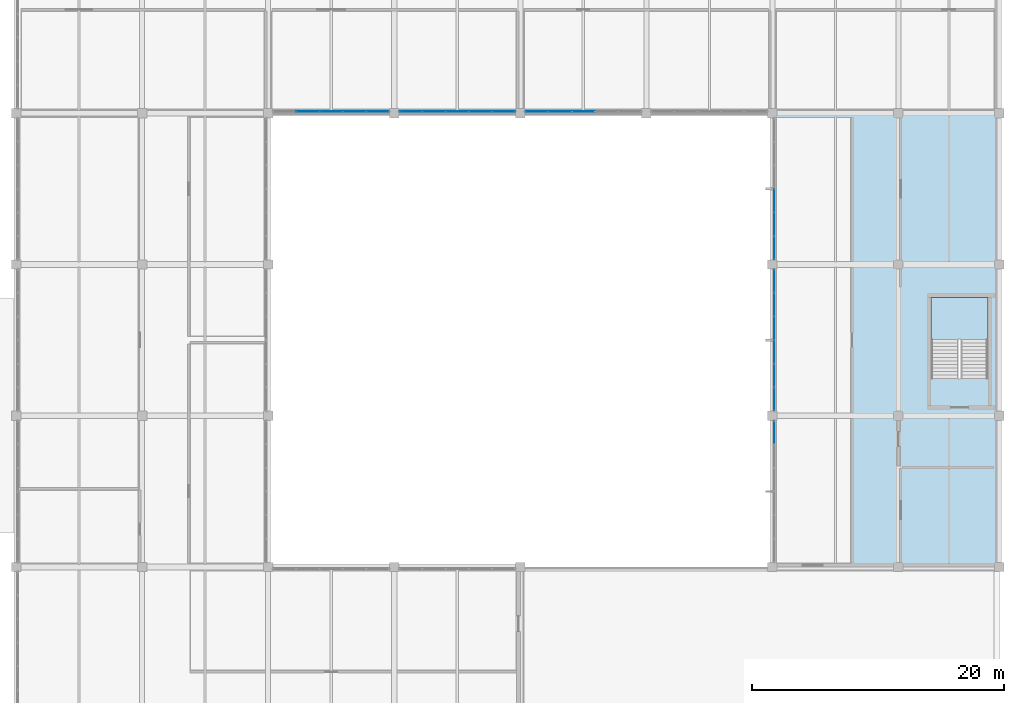
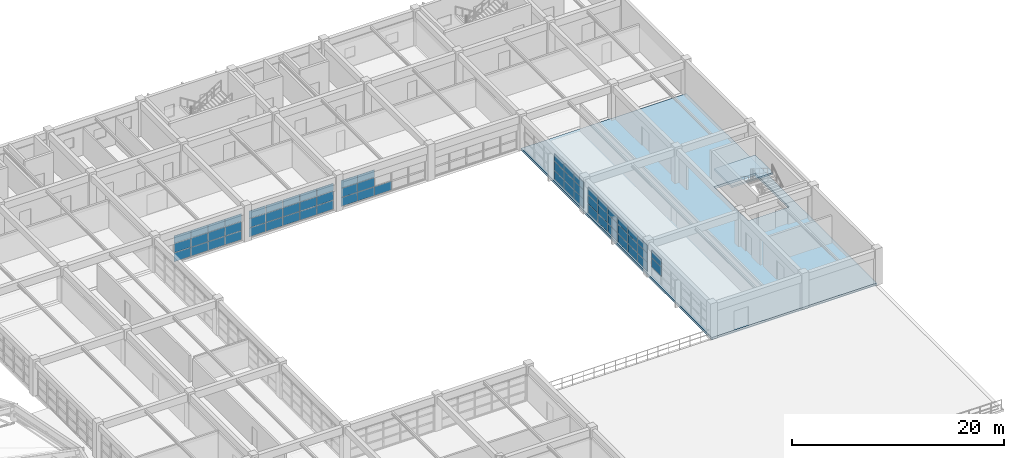
# One storey, part 56 of 83: 63 plates, 2 slabs, 7 elements without a shape of their own.
"""IFC4 building model written with IfcOpenShell, lengths in metres."""

from ifc_helpers import new_model, si_unit, direction, frame, origin, origin_2d, place, context, subcontext, project, spatial, polyline, rectangle, outline, extrude, material, layer, layer_set, type_object, element, aggregate, save


model = new_model("IFC4")

# Units and contexts
model_context = context("Model", 3, precision=1e-05, world=origin(), true_north=direction((0.0, 1.0)))
body_context = subcontext(model_context, "Body", "Model", "MODEL_VIEW")
ifc_project = project(units=[si_unit("LENGTHUNIT", "METRE"), si_unit("AREAUNIT", "SQUARE_METRE"), si_unit("VOLUMEUNIT", "CUBIC_METRE"), si_unit("PLANEANGLEUNIT", "RADIAN"), si_unit("MASSUNIT", "GRAM", prefix="KILO")], contexts=[model_context])

# Site, building, storey
site_placement = place(None, origin())
site = spatial("IfcSite", under=ifc_project, at=site_placement, CompositionType="ELEMENT")
building_placement = place(site_placement, origin())
building = spatial("IfcBuilding", under=site, at=building_placement, Name="Kivolera Central Railway Station", CompositionType="ELEMENT")
storey_placement = place(building_placement, frame((0.0, 0.0, 14.39990234375)))
storey = spatial("IfcBuildingStorey", under=building, at=storey_placement, Name="L03", CompositionType="ELEMENT", Elevation=14.39990234375)

# Curtain wall, plates
ifc_material_1 = material(Name="Anodised aluminium", Category="aluminium")
ifc_layer_1 = layer(ifc_material_1, 0.179931640625, Name="Anodised aluminium")
ifc_layer_set_1 = layer_set([ifc_layer_1], Name="Anodised aluminium")
curtain_wall_type_1 = type_object("IfcCurtainWallType", Name="CW-SYS-29", PredefinedType="NOTDEFINED", material=ifc_layer_set_1)
curtain_wall_1_placement = place(storey_placement, origin())
curtain_wall_1 = element("IfcCurtainWall", 1, at=curtain_wall_1_placement, inside=storey, type_object=curtain_wall_type_1, Name="L03 Curtain Wall CW-L03-CRTN-138", PredefinedType="NOTDEFINED")
ifc_material_2 = material(Name="Double low-E laminated glass", Category="glass")
ifc_layer_2 = layer(ifc_material_2, 0.030029296875, Name="Double low-E laminated glass")
ifc_layer_set_2 = layer_set([ifc_layer_2], Name="Double low-E laminated glass")
plate_type_1 = type_object("IfcPlateType", Name="CWP-GLZ-2", PredefinedType="CURTAIN_PANEL", material=ifc_layer_set_2)
plate_1_placement = place(storey_placement, frame((146.68896484375, 114.14501953125, 0.048095703125), z_axis=(0.0, 0.0, 1.0), x_axis=(-1.0, 0.0, 0.0)))
plate_1 = element("IfcPlate", 2, at=plate_1_placement, type_object=plate_type_1, Name="CW-29 panel 1.1", PredefinedType="CURTAIN_PANEL", context=body_context, shape_type="SweptSolid", body=[
    extrude(rectangle(XDim=1.785888671875, YDim=0.030029296875, at=origin_2d()), origin(), (0.0, 0.0, 1.0), 1.01123046875),
])
plate_2_placement = place(storey_placement, frame((146.68896484375, 114.14501953125, 1.09521484375), z_axis=(0.0, 0.0, 1.0), x_axis=(-1.0, 0.0, 0.0)))
plate_2 = element("IfcPlate", 3, at=plate_2_placement, type_object=plate_type_1, Name="CW-29 panel 1.2", PredefinedType="CURTAIN_PANEL", context=body_context, shape_type="SweptSolid", body=[
    extrude(rectangle(XDim=1.785888671875, YDim=0.030029296875, at=origin_2d()), origin(), (0.0, 0.0, 1.0), 1.041259765625),
])
plate_3_placement = place(storey_placement, frame((146.68896484375, 114.14501953125, 2.172607421875), z_axis=(0.0, 0.0, 1.0), x_axis=(-1.0, 0.0, 0.0)))
plate_3 = element("IfcPlate", 4, at=plate_3_placement, type_object=plate_type_1, Name="CW-29 panel 1.3", PredefinedType="CURTAIN_PANEL", context=body_context, shape_type="SweptSolid", body=[
    extrude(rectangle(XDim=1.785888671875, YDim=0.030029296875, at=origin_2d()), origin(), (0.0, 0.0, 1.0), 0.857421875),
])
plate_4_placement = place(storey_placement, frame((144.85205078125, 114.14501953125, 0.048095703125), z_axis=(0.0, 0.0, 1.0), x_axis=(-1.0, 0.0, 0.0)))
plate_4 = element("IfcPlate", 5, at=plate_4_placement, type_object=plate_type_1, Name="CW-29 panel 2.1", PredefinedType="CURTAIN_PANEL", context=body_context, shape_type="SweptSolid", body=[
    extrude(rectangle(XDim=1.81591796875, YDim=0.030029296875, at=origin_2d()), origin(), (0.0, 0.0, 1.0), 1.01123046875),
])
plate_5_placement = place(storey_placement, frame((144.85205078125, 114.14501953125, 1.09521484375), z_axis=(0.0, 0.0, 1.0), x_axis=(-1.0, 0.0, 0.0)))
plate_5 = element("IfcPlate", 6, at=plate_5_placement, type_object=plate_type_1, Name="CW-29 panel 2.2", PredefinedType="CURTAIN_PANEL", context=body_context, shape_type="SweptSolid", body=[
    extrude(rectangle(XDim=1.81591796875, YDim=0.030029296875, at=origin_2d()), origin(), (0.0, 0.0, 1.0), 1.041259765625),
])
plate_6_placement = place(storey_placement, frame((144.85205078125, 114.14501953125, 2.172607421875), z_axis=(0.0, 0.0, 1.0), x_axis=(-1.0, 0.0, 0.0)))
plate_6 = element("IfcPlate", 7, at=plate_6_placement, type_object=plate_type_1, Name="CW-29 panel 2.3", PredefinedType="CURTAIN_PANEL", context=body_context, shape_type="SweptSolid", body=[
    extrude(rectangle(XDim=1.81591796875, YDim=0.030029296875, at=origin_2d()), origin(), (0.0, 0.0, 1.0), 0.857421875),
])
plate_7_placement = place(storey_placement, frame((143.0, 114.14501953125, 0.048095703125), z_axis=(0.0, 0.0, 1.0), x_axis=(-1.0, 0.0, 0.0)))
plate_7 = element("IfcPlate", 8, at=plate_7_placement, type_object=plate_type_1, Name="CW-29 panel 3.1", PredefinedType="CURTAIN_PANEL", context=body_context, shape_type="SweptSolid", body=[
    extrude(rectangle(XDim=1.81591796875, YDim=0.030029296875, at=origin_2d()), origin(), (0.0, 0.0, 1.0), 1.01123046875),
])
plate_8_placement = place(storey_placement, frame((143.0, 114.14501953125, 1.09521484375), z_axis=(0.0, 0.0, 1.0), x_axis=(-1.0, 0.0, 0.0)))
plate_8 = element("IfcPlate", 9, at=plate_8_placement, type_object=plate_type_1, Name="CW-29 panel 3.2", PredefinedType="CURTAIN_PANEL", context=body_context, shape_type="SweptSolid", body=[
    extrude(rectangle(XDim=1.81591796875, YDim=0.030029296875, at=origin_2d()), origin(), (0.0, 0.0, 1.0), 1.041259765625),
])
plate_9_placement = place(storey_placement, frame((143.0, 114.14501953125, 2.172607421875), z_axis=(0.0, 0.0, 1.0), x_axis=(-1.0, 0.0, 0.0)))
plate_9 = element("IfcPlate", 10, at=plate_9_placement, type_object=plate_type_1, Name="CW-29 panel 3.3", PredefinedType="CURTAIN_PANEL", context=body_context, shape_type="SweptSolid", body=[
    extrude(rectangle(XDim=1.81591796875, YDim=0.030029296875, at=origin_2d()), origin(), (0.0, 0.0, 1.0), 0.857421875),
])
plate_10_placement = place(storey_placement, frame((141.14794921875, 114.14501953125, 0.048095703125), z_axis=(0.0, 0.0, 1.0), x_axis=(-1.0, 0.0, 0.0)))
plate_10 = element("IfcPlate", 11, at=plate_10_placement, type_object=plate_type_1, Name="CW-29 panel 4.1", PredefinedType="CURTAIN_PANEL", context=body_context, shape_type="SweptSolid", body=[
    extrude(rectangle(XDim=1.81591796875, YDim=0.030029296875, at=origin_2d()), origin(), (0.0, 0.0, 1.0), 1.01123046875),
])
plate_11_placement = place(storey_placement, frame((141.14794921875, 114.14501953125, 1.09521484375), z_axis=(0.0, 0.0, 1.0), x_axis=(-1.0, 0.0, 0.0)))
plate_11 = element("IfcPlate", 12, at=plate_11_placement, type_object=plate_type_1, Name="CW-29 panel 4.2", PredefinedType="CURTAIN_PANEL", context=body_context, shape_type="SweptSolid", body=[
    extrude(rectangle(XDim=1.81591796875, YDim=0.030029296875, at=origin_2d()), origin(), (0.0, 0.0, 1.0), 1.041259765625),
])
plate_12_placement = place(storey_placement, frame((141.14794921875, 114.14501953125, 2.172607421875), z_axis=(0.0, 0.0, 1.0), x_axis=(-1.0, 0.0, 0.0)))
plate_12 = element("IfcPlate", 13, at=plate_12_placement, type_object=plate_type_1, Name="CW-29 panel 4.3", PredefinedType="CURTAIN_PANEL", context=body_context, shape_type="SweptSolid", body=[
    extrude(rectangle(XDim=1.81591796875, YDim=0.030029296875, at=origin_2d()), origin(), (0.0, 0.0, 1.0), 0.857421875),
])
aggregate(curtain_wall_1, [plate_1, plate_2, plate_3, plate_4, plate_5, plate_6, plate_7, plate_8, plate_9, plate_10, plate_11, plate_12])

ifc_layer_3 = layer(ifc_material_1, 0.179931640625, Name="Anodised aluminium")
ifc_layer_set_3 = layer_set([ifc_layer_3], Name="Anodised aluminium")
curtain_wall_type_2 = type_object("IfcCurtainWallType", Name="CW-SYS-30", PredefinedType="NOTDEFINED", material=ifc_layer_set_3)
curtain_wall_2_placement = place(storey_placement, origin())
curtain_wall_2 = element("IfcCurtainWall", 14, at=curtain_wall_2_placement, inside=storey, type_object=curtain_wall_type_2, Name="L03 Curtain Wall CW-L03-CRTE-G", PredefinedType="NOTDEFINED")
plate_13_placement = place(storey_placement, frame((178.14501953125, 88.6767578125, 1.09521484375), z_axis=(0.0, 0.0, 1.0), x_axis=(0.0, 1.0, 0.0)))
plate_13 = element("IfcPlate", 15, at=plate_13_placement, type_object=plate_type_1, Name="CW-30 panel 6.2", PredefinedType="CURTAIN_PANEL", context=body_context, shape_type="SweptSolid", body=[
    extrude(rectangle(XDim=1.810546875, YDim=0.030029296875, at=origin_2d()), origin(), (0.0, 0.0, 1.0), 1.041259765625),
])
plate_14_placement = place(storey_placement, frame((178.14501953125, 88.6767578125, 2.172607421875), z_axis=(0.0, 0.0, 1.0), x_axis=(0.0, 1.0, 0.0)))
plate_14 = element("IfcPlate", 16, at=plate_14_placement, type_object=plate_type_1, Name="CW-30 panel 6.3", PredefinedType="CURTAIN_PANEL", context=body_context, shape_type="SweptSolid", body=[
    extrude(rectangle(XDim=1.810546875, YDim=0.030029296875, at=origin_2d()), origin(), (0.0, 0.0, 1.0), 0.857421875),
])
aggregate(curtain_wall_2, [plate_13, plate_14])

curtain_wall_3_placement = place(storey_placement, origin())
curtain_wall_3 = element("IfcCurtainWall", 17, at=curtain_wall_3_placement, inside=storey, type_object=curtain_wall_type_2, Name="L03 Curtain Wall CW-L03-CRTE-H", PredefinedType="NOTDEFINED")
plate_15_placement = place(storey_placement, frame((178.14501953125, 91.3232421875, 0.048095703125), z_axis=(0.0, 0.0, 1.0), x_axis=(0.0, 1.0, 0.0)))
plate_15 = element("IfcPlate", 18, at=plate_15_placement, type_object=plate_type_1, Name="CW-30 panel 1.1", PredefinedType="CURTAIN_PANEL", context=body_context, shape_type="SweptSolid", body=[
    extrude(rectangle(XDim=1.810546875, YDim=0.030029296875, at=origin_2d()), origin(), (0.0, 0.0, 1.0), 1.01123046875),
])
plate_16_placement = place(storey_placement, frame((178.14501953125, 91.3232421875, 1.09521484375), z_axis=(0.0, 0.0, 1.0), x_axis=(0.0, 1.0, 0.0)))
plate_16 = element("IfcPlate", 19, at=plate_16_placement, type_object=plate_type_1, Name="CW-30 panel 1.2", PredefinedType="CURTAIN_PANEL", context=body_context, shape_type="SweptSolid", body=[
    extrude(rectangle(XDim=1.810546875, YDim=0.030029296875, at=origin_2d()), origin(), (0.0, 0.0, 1.0), 1.041259765625),
])
plate_17_placement = place(storey_placement, frame((178.14501953125, 91.3232421875, 2.172607421875), z_axis=(0.0, 0.0, 1.0), x_axis=(0.0, 1.0, 0.0)))
plate_17 = element("IfcPlate", 20, at=plate_17_placement, type_object=plate_type_1, Name="CW-30 panel 1.3", PredefinedType="CURTAIN_PANEL", context=body_context, shape_type="SweptSolid", body=[
    extrude(rectangle(XDim=1.810546875, YDim=0.030029296875, at=origin_2d()), origin(), (0.0, 0.0, 1.0), 0.857421875),
])
plate_18_placement = place(storey_placement, frame((178.14501953125, 93.18505859375, 0.048095703125), z_axis=(0.0, 0.0, 1.0), x_axis=(0.0, 1.0, 0.0)))
plate_18 = element("IfcPlate", 21, at=plate_18_placement, type_object=plate_type_1, Name="CW-30 panel 2.1", PredefinedType="CURTAIN_PANEL", context=body_context, shape_type="SweptSolid", body=[
    extrude(rectangle(XDim=1.840576171875, YDim=0.030029296875, at=origin_2d()), origin(), (0.0, 0.0, 1.0), 1.01123046875),
])
plate_19_placement = place(storey_placement, frame((178.14501953125, 93.18505859375, 1.09521484375), z_axis=(0.0, 0.0, 1.0), x_axis=(0.0, 1.0, 0.0)))
plate_19 = element("IfcPlate", 22, at=plate_19_placement, type_object=plate_type_1, Name="CW-30 panel 2.2", PredefinedType="CURTAIN_PANEL", context=body_context, shape_type="SweptSolid", body=[
    extrude(rectangle(XDim=1.840576171875, YDim=0.030029296875, at=origin_2d()), origin(), (0.0, 0.0, 1.0), 1.041259765625),
])
plate_20_placement = place(storey_placement, frame((178.14501953125, 93.18505859375, 2.172607421875), z_axis=(0.0, 0.0, 1.0), x_axis=(0.0, 1.0, 0.0)))
plate_20 = element("IfcPlate", 23, at=plate_20_placement, type_object=plate_type_1, Name="CW-30 panel 2.3", PredefinedType="CURTAIN_PANEL", context=body_context, shape_type="SweptSolid", body=[
    extrude(rectangle(XDim=1.840576171875, YDim=0.030029296875, at=origin_2d()), origin(), (0.0, 0.0, 1.0), 0.857421875),
])
plate_21_placement = place(storey_placement, frame((178.14501953125, 95.061767578125, 0.048095703125), z_axis=(0.0, 0.0, 1.0), x_axis=(0.0, 1.0, 0.0)))
plate_21 = element("IfcPlate", 24, at=plate_21_placement, type_object=plate_type_1, Name="CW-30 panel 3.1", PredefinedType="CURTAIN_PANEL", context=body_context, shape_type="SweptSolid", body=[
    extrude(rectangle(XDim=1.840576171875, YDim=0.030029296875, at=origin_2d()), origin(), (0.0, 0.0, 1.0), 1.01123046875),
])
plate_22_placement = place(storey_placement, frame((178.14501953125, 95.061767578125, 1.09521484375), z_axis=(0.0, 0.0, 1.0), x_axis=(0.0, 1.0, 0.0)))
plate_22 = element("IfcPlate", 25, at=plate_22_placement, type_object=plate_type_1, Name="CW-30 panel 3.2", PredefinedType="CURTAIN_PANEL", context=body_context, shape_type="SweptSolid", body=[
    extrude(rectangle(XDim=1.840576171875, YDim=0.030029296875, at=origin_2d()), origin(), (0.0, 0.0, 1.0), 1.041259765625),
])
plate_23_placement = place(storey_placement, frame((178.14501953125, 95.061767578125, 2.172607421875), z_axis=(0.0, 0.0, 1.0), x_axis=(0.0, 1.0, 0.0)))
plate_23 = element("IfcPlate", 26, at=plate_23_placement, type_object=plate_type_1, Name="CW-30 panel 3.3", PredefinedType="CURTAIN_PANEL", context=body_context, shape_type="SweptSolid", body=[
    extrude(rectangle(XDim=1.840576171875, YDim=0.030029296875, at=origin_2d()), origin(), (0.0, 0.0, 1.0), 0.857421875),
])
plate_24_placement = place(storey_placement, frame((178.14501953125, 96.938232421875, 0.048095703125), z_axis=(0.0, 0.0, 1.0), x_axis=(0.0, 1.0, 0.0)))
plate_24 = element("IfcPlate", 27, at=plate_24_placement, type_object=plate_type_1, Name="CW-30 panel 4.1", PredefinedType="CURTAIN_PANEL", context=body_context, shape_type="SweptSolid", body=[
    extrude(rectangle(XDim=1.840576171875, YDim=0.030029296875, at=origin_2d()), origin(), (0.0, 0.0, 1.0), 1.01123046875),
])
plate_25_placement = place(storey_placement, frame((178.14501953125, 96.938232421875, 1.09521484375), z_axis=(0.0, 0.0, 1.0), x_axis=(0.0, 1.0, 0.0)))
plate_25 = element("IfcPlate", 28, at=plate_25_placement, type_object=plate_type_1, Name="CW-30 panel 4.2", PredefinedType="CURTAIN_PANEL", context=body_context, shape_type="SweptSolid", body=[
    extrude(rectangle(XDim=1.840576171875, YDim=0.030029296875, at=origin_2d()), origin(), (0.0, 0.0, 1.0), 1.041259765625),
])
plate_26_placement = place(storey_placement, frame((178.14501953125, 96.938232421875, 2.172607421875), z_axis=(0.0, 0.0, 1.0), x_axis=(0.0, 1.0, 0.0)))
plate_26 = element("IfcPlate", 29, at=plate_26_placement, type_object=plate_type_1, Name="CW-30 panel 4.3", PredefinedType="CURTAIN_PANEL", context=body_context, shape_type="SweptSolid", body=[
    extrude(rectangle(XDim=1.840576171875, YDim=0.030029296875, at=origin_2d()), origin(), (0.0, 0.0, 1.0), 0.857421875),
])
plate_27_placement = place(storey_placement, frame((178.14501953125, 98.81494140625, 0.048095703125), z_axis=(0.0, 0.0, 1.0), x_axis=(0.0, 1.0, 0.0)))
plate_27 = element("IfcPlate", 30, at=plate_27_placement, type_object=plate_type_1, Name="CW-30 panel 5.1", PredefinedType="CURTAIN_PANEL", context=body_context, shape_type="SweptSolid", body=[
    extrude(rectangle(XDim=1.840576171875, YDim=0.030029296875, at=origin_2d()), origin(), (0.0, 0.0, 1.0), 1.01123046875),
])
plate_28_placement = place(storey_placement, frame((178.14501953125, 98.81494140625, 1.09521484375), z_axis=(0.0, 0.0, 1.0), x_axis=(0.0, 1.0, 0.0)))
plate_28 = element("IfcPlate", 31, at=plate_28_placement, type_object=plate_type_1, Name="CW-30 panel 5.2", PredefinedType="CURTAIN_PANEL", context=body_context, shape_type="SweptSolid", body=[
    extrude(rectangle(XDim=1.840576171875, YDim=0.030029296875, at=origin_2d()), origin(), (0.0, 0.0, 1.0), 1.041259765625),
])
plate_29_placement = place(storey_placement, frame((178.14501953125, 98.81494140625, 2.172607421875), z_axis=(0.0, 0.0, 1.0), x_axis=(0.0, 1.0, 0.0)))
plate_29 = element("IfcPlate", 32, at=plate_29_placement, type_object=plate_type_1, Name="CW-30 panel 5.3", PredefinedType="CURTAIN_PANEL", context=body_context, shape_type="SweptSolid", body=[
    extrude(rectangle(XDim=1.840576171875, YDim=0.030029296875, at=origin_2d()), origin(), (0.0, 0.0, 1.0), 0.857421875),
])
plate_30_placement = place(storey_placement, frame((178.14501953125, 100.6767578125, 0.048095703125), z_axis=(0.0, 0.0, 1.0), x_axis=(0.0, 1.0, 0.0)))
plate_30 = element("IfcPlate", 33, at=plate_30_placement, type_object=plate_type_1, Name="CW-30 panel 6.1", PredefinedType="CURTAIN_PANEL", context=body_context, shape_type="SweptSolid", body=[
    extrude(rectangle(XDim=1.810546875, YDim=0.030029296875, at=origin_2d()), origin(), (0.0, 0.0, 1.0), 1.01123046875),
])
plate_31_placement = place(storey_placement, frame((178.14501953125, 100.6767578125, 1.09521484375), z_axis=(0.0, 0.0, 1.0), x_axis=(0.0, 1.0, 0.0)))
plate_31 = element("IfcPlate", 34, at=plate_31_placement, type_object=plate_type_1, Name="CW-30 panel 6.2", PredefinedType="CURTAIN_PANEL", context=body_context, shape_type="SweptSolid", body=[
    extrude(rectangle(XDim=1.810546875, YDim=0.030029296875, at=origin_2d()), origin(), (0.0, 0.0, 1.0), 1.041259765625),
])
plate_32_placement = place(storey_placement, frame((178.14501953125, 100.6767578125, 2.172607421875), z_axis=(0.0, 0.0, 1.0), x_axis=(0.0, 1.0, 0.0)))
plate_32 = element("IfcPlate", 35, at=plate_32_placement, type_object=plate_type_1, Name="CW-30 panel 6.3", PredefinedType="CURTAIN_PANEL", context=body_context, shape_type="SweptSolid", body=[
    extrude(rectangle(XDim=1.810546875, YDim=0.030029296875, at=origin_2d()), origin(), (0.0, 0.0, 1.0), 0.857421875),
])
aggregate(curtain_wall_3, [plate_15, plate_16, plate_17, plate_18, plate_19, plate_20, plate_21, plate_22, plate_23, plate_24, plate_25, plate_26, plate_27, plate_28, plate_29, plate_30, plate_31, plate_32])

curtain_wall_4_placement = place(storey_placement, origin())
curtain_wall_4 = element("IfcCurtainWall", 36, at=curtain_wall_4_placement, inside=storey, type_object=curtain_wall_type_2, Name="L03 Curtain Wall CW-L03-CRTE-J", PredefinedType="NOTDEFINED")
plate_33_placement = place(storey_placement, frame((178.14501953125, 103.3232421875, 0.048095703125), z_axis=(0.0, 0.0, 1.0), x_axis=(0.0, 1.0, 0.0)))
plate_33 = element("IfcPlate", 37, at=plate_33_placement, type_object=plate_type_1, Name="CW-30 panel 1.1", PredefinedType="CURTAIN_PANEL", context=body_context, shape_type="SweptSolid", body=[
    extrude(rectangle(XDim=1.810546875, YDim=0.030029296875, at=origin_2d()), origin(), (0.0, 0.0, 1.0), 1.01123046875),
])
plate_34_placement = place(storey_placement, frame((178.14501953125, 103.3232421875, 1.09521484375), z_axis=(0.0, 0.0, 1.0), x_axis=(0.0, 1.0, 0.0)))
plate_34 = element("IfcPlate", 38, at=plate_34_placement, type_object=plate_type_1, Name="CW-30 panel 1.2", PredefinedType="CURTAIN_PANEL", context=body_context, shape_type="SweptSolid", body=[
    extrude(rectangle(XDim=1.810546875, YDim=0.030029296875, at=origin_2d()), origin(), (0.0, 0.0, 1.0), 1.041259765625),
])
plate_35_placement = place(storey_placement, frame((178.14501953125, 103.3232421875, 2.172607421875), z_axis=(0.0, 0.0, 1.0), x_axis=(0.0, 1.0, 0.0)))
plate_35 = element("IfcPlate", 39, at=plate_35_placement, type_object=plate_type_1, Name="CW-30 panel 1.3", PredefinedType="CURTAIN_PANEL", context=body_context, shape_type="SweptSolid", body=[
    extrude(rectangle(XDim=1.810546875, YDim=0.030029296875, at=origin_2d()), origin(), (0.0, 0.0, 1.0), 0.857421875),
])
plate_36_placement = place(storey_placement, frame((178.14501953125, 105.18505859375, 0.048095703125), z_axis=(0.0, 0.0, 1.0), x_axis=(0.0, 1.0, 0.0)))
plate_36 = element("IfcPlate", 40, at=plate_36_placement, type_object=plate_type_1, Name="CW-30 panel 2.1", PredefinedType="CURTAIN_PANEL", context=body_context, shape_type="SweptSolid", body=[
    extrude(rectangle(XDim=1.840576171875, YDim=0.030029296875, at=origin_2d()), origin(), (0.0, 0.0, 1.0), 1.01123046875),
])
plate_37_placement = place(storey_placement, frame((178.14501953125, 105.18505859375, 1.09521484375), z_axis=(0.0, 0.0, 1.0), x_axis=(0.0, 1.0, 0.0)))
plate_37 = element("IfcPlate", 41, at=plate_37_placement, type_object=plate_type_1, Name="CW-30 panel 2.2", PredefinedType="CURTAIN_PANEL", context=body_context, shape_type="SweptSolid", body=[
    extrude(rectangle(XDim=1.840576171875, YDim=0.030029296875, at=origin_2d()), origin(), (0.0, 0.0, 1.0), 1.041259765625),
])
plate_38_placement = place(storey_placement, frame((178.14501953125, 105.18505859375, 2.172607421875), z_axis=(0.0, 0.0, 1.0), x_axis=(0.0, 1.0, 0.0)))
plate_38 = element("IfcPlate", 42, at=plate_38_placement, type_object=plate_type_1, Name="CW-30 panel 2.3", PredefinedType="CURTAIN_PANEL", context=body_context, shape_type="SweptSolid", body=[
    extrude(rectangle(XDim=1.840576171875, YDim=0.030029296875, at=origin_2d()), origin(), (0.0, 0.0, 1.0), 0.857421875),
])
plate_39_placement = place(storey_placement, frame((178.14501953125, 107.061767578125, 0.048095703125), z_axis=(0.0, 0.0, 1.0), x_axis=(0.0, 1.0, 0.0)))
plate_39 = element("IfcPlate", 43, at=plate_39_placement, type_object=plate_type_1, Name="CW-30 panel 3.1", PredefinedType="CURTAIN_PANEL", context=body_context, shape_type="SweptSolid", body=[
    extrude(rectangle(XDim=1.840576171875, YDim=0.030029296875, at=origin_2d()), origin(), (0.0, 0.0, 1.0), 1.01123046875),
])
plate_40_placement = place(storey_placement, frame((178.14501953125, 107.061767578125, 1.09521484375), z_axis=(0.0, 0.0, 1.0), x_axis=(0.0, 1.0, 0.0)))
plate_40 = element("IfcPlate", 44, at=plate_40_placement, type_object=plate_type_1, Name="CW-30 panel 3.2", PredefinedType="CURTAIN_PANEL", context=body_context, shape_type="SweptSolid", body=[
    extrude(rectangle(XDim=1.840576171875, YDim=0.030029296875, at=origin_2d()), origin(), (0.0, 0.0, 1.0), 1.041259765625),
])
plate_41_placement = place(storey_placement, frame((178.14501953125, 107.061767578125, 2.172607421875), z_axis=(0.0, 0.0, 1.0), x_axis=(0.0, 1.0, 0.0)))
plate_41 = element("IfcPlate", 45, at=plate_41_placement, type_object=plate_type_1, Name="CW-30 panel 3.3", PredefinedType="CURTAIN_PANEL", context=body_context, shape_type="SweptSolid", body=[
    extrude(rectangle(XDim=1.840576171875, YDim=0.030029296875, at=origin_2d()), origin(), (0.0, 0.0, 1.0), 0.857421875),
])
aggregate(curtain_wall_4, [plate_33, plate_34, plate_35, plate_36, plate_37, plate_38, plate_39, plate_40, plate_41])

curtain_wall_5_placement = place(storey_placement, origin())
curtain_wall_5 = element("IfcCurtainWall", 46, at=curtain_wall_5_placement, inside=storey, type_object=curtain_wall_type_1, Name="L03 Curtain Wall CW-L03-CRTN-148", PredefinedType="NOTDEFINED")
ifc_layer_4 = layer(ifc_material_2, 0.033935546875, Name="Double low-E laminated glass")
ifc_layer_set_4 = layer_set([ifc_layer_4], Name="Double low-E laminated glass")
plate_type_2 = type_object("IfcPlateType", Name="CWP-GLZ-3", PredefinedType="CURTAIN_PANEL", material=ifc_layer_set_4)
plate_42_placement = place(storey_placement, frame((156.68896484375, 114.14501953125, 0.048095703125), z_axis=(0.0, 0.0, 1.0), x_axis=(-1.0, 0.0, 0.0)))
plate_42 = element("IfcPlate", 47, at=plate_42_placement, type_object=plate_type_2, Name="CW-29 panel 1.1", PredefinedType="CURTAIN_PANEL", context=body_context, shape_type="SweptSolid", body=[
    extrude(rectangle(XDim=1.785888671875, YDim=0.033935546875, at=origin_2d()), origin(), (0.0, 0.0, 1.0), 1.01123046875),
])
plate_43_placement = place(storey_placement, frame((156.68896484375, 114.14501953125, 1.09521484375), z_axis=(0.0, 0.0, 1.0), x_axis=(-1.0, 0.0, 0.0)))
plate_43 = element("IfcPlate", 48, at=plate_43_placement, type_object=plate_type_2, Name="CW-29 panel 1.2", PredefinedType="CURTAIN_PANEL", context=body_context, shape_type="SweptSolid", body=[
    extrude(rectangle(XDim=1.785888671875, YDim=0.033935546875, at=origin_2d()), origin(), (0.0, 0.0, 1.0), 1.041259765625),
])
plate_44_placement = place(storey_placement, frame((156.68896484375, 114.14501953125, 2.172607421875), z_axis=(0.0, 0.0, 1.0), x_axis=(-1.0, 0.0, 0.0)))
plate_44 = element("IfcPlate", 49, at=plate_44_placement, type_object=plate_type_2, Name="CW-29 panel 1.3", PredefinedType="CURTAIN_PANEL", context=body_context, shape_type="SweptSolid", body=[
    extrude(rectangle(XDim=1.785888671875, YDim=0.033935546875, at=origin_2d()), origin(), (0.0, 0.0, 1.0), 0.857421875),
])
plate_45_placement = place(storey_placement, frame((154.85205078125, 114.14501953125, 0.048095703125), z_axis=(0.0, 0.0, 1.0), x_axis=(-1.0, 0.0, 0.0)))
plate_45 = element("IfcPlate", 50, at=plate_45_placement, type_object=plate_type_2, Name="CW-29 panel 2.1", PredefinedType="CURTAIN_PANEL", context=body_context, shape_type="SweptSolid", body=[
    extrude(rectangle(XDim=1.81591796875, YDim=0.033935546875, at=origin_2d()), origin(), (0.0, 0.0, 1.0), 1.01123046875),
])
plate_46_placement = place(storey_placement, frame((154.85205078125, 114.14501953125, 1.09521484375), z_axis=(0.0, 0.0, 1.0), x_axis=(-1.0, 0.0, 0.0)))
plate_46 = element("IfcPlate", 51, at=plate_46_placement, type_object=plate_type_2, Name="CW-29 panel 2.2", PredefinedType="CURTAIN_PANEL", context=body_context, shape_type="SweptSolid", body=[
    extrude(rectangle(XDim=1.81591796875, YDim=0.033935546875, at=origin_2d()), origin(), (0.0, 0.0, 1.0), 1.041259765625),
])
plate_47_placement = place(storey_placement, frame((154.85205078125, 114.14501953125, 2.172607421875), z_axis=(0.0, 0.0, 1.0), x_axis=(-1.0, 0.0, 0.0)))
plate_47 = element("IfcPlate", 52, at=plate_47_placement, type_object=plate_type_2, Name="CW-29 panel 2.3", PredefinedType="CURTAIN_PANEL", context=body_context, shape_type="SweptSolid", body=[
    extrude(rectangle(XDim=1.81591796875, YDim=0.033935546875, at=origin_2d()), origin(), (0.0, 0.0, 1.0), 0.857421875),
])
plate_48_placement = place(storey_placement, frame((153.0, 114.14501953125, 0.048095703125), z_axis=(0.0, 0.0, 1.0), x_axis=(-1.0, 0.0, 0.0)))
plate_48 = element("IfcPlate", 53, at=plate_48_placement, type_object=plate_type_2, Name="CW-29 panel 3.1", PredefinedType="CURTAIN_PANEL", context=body_context, shape_type="SweptSolid", body=[
    extrude(rectangle(XDim=1.81591796875, YDim=0.033935546875, at=origin_2d()), origin(), (0.0, 0.0, 1.0), 1.01123046875),
])
plate_49_placement = place(storey_placement, frame((153.0, 114.14501953125, 1.09521484375), z_axis=(0.0, 0.0, 1.0), x_axis=(-1.0, 0.0, 0.0)))
plate_49 = element("IfcPlate", 54, at=plate_49_placement, type_object=plate_type_2, Name="CW-29 panel 3.2", PredefinedType="CURTAIN_PANEL", context=body_context, shape_type="SweptSolid", body=[
    extrude(rectangle(XDim=1.81591796875, YDim=0.033935546875, at=origin_2d()), origin(), (0.0, 0.0, 1.0), 1.041259765625),
])
plate_50_placement = place(storey_placement, frame((153.0, 114.14501953125, 2.172607421875), z_axis=(0.0, 0.0, 1.0), x_axis=(-1.0, 0.0, 0.0)))
plate_50 = element("IfcPlate", 55, at=plate_50_placement, type_object=plate_type_2, Name="CW-29 panel 3.3", PredefinedType="CURTAIN_PANEL", context=body_context, shape_type="SweptSolid", body=[
    extrude(rectangle(XDim=1.81591796875, YDim=0.033935546875, at=origin_2d()), origin(), (0.0, 0.0, 1.0), 0.857421875),
])
plate_51_placement = place(storey_placement, frame((151.14794921875, 114.14501953125, 0.048095703125), z_axis=(0.0, 0.0, 1.0), x_axis=(-1.0, 0.0, 0.0)))
plate_51 = element("IfcPlate", 56, at=plate_51_placement, type_object=plate_type_2, Name="CW-29 panel 4.1", PredefinedType="CURTAIN_PANEL", context=body_context, shape_type="SweptSolid", body=[
    extrude(rectangle(XDim=1.81591796875, YDim=0.033935546875, at=origin_2d()), origin(), (0.0, 0.0, 1.0), 1.01123046875),
])
plate_52_placement = place(storey_placement, frame((151.14794921875, 114.14501953125, 1.09521484375), z_axis=(0.0, 0.0, 1.0), x_axis=(-1.0, 0.0, 0.0)))
plate_52 = element("IfcPlate", 57, at=plate_52_placement, type_object=plate_type_2, Name="CW-29 panel 4.2", PredefinedType="CURTAIN_PANEL", context=body_context, shape_type="SweptSolid", body=[
    extrude(rectangle(XDim=1.81591796875, YDim=0.033935546875, at=origin_2d()), origin(), (0.0, 0.0, 1.0), 1.041259765625),
])
plate_53_placement = place(storey_placement, frame((151.14794921875, 114.14501953125, 2.172607421875), z_axis=(0.0, 0.0, 1.0), x_axis=(-1.0, 0.0, 0.0)))
plate_53 = element("IfcPlate", 58, at=plate_53_placement, type_object=plate_type_2, Name="CW-29 panel 4.3", PredefinedType="CURTAIN_PANEL", context=body_context, shape_type="SweptSolid", body=[
    extrude(rectangle(XDim=1.81591796875, YDim=0.033935546875, at=origin_2d()), origin(), (0.0, 0.0, 1.0), 0.857421875),
])
plate_54_placement = place(storey_placement, frame((149.31103515625, 114.14501953125, 0.048095703125), z_axis=(0.0, 0.0, 1.0), x_axis=(-1.0, 0.0, 0.0)))
plate_54 = element("IfcPlate", 59, at=plate_54_placement, type_object=plate_type_2, Name="CW-29 panel 5.1", PredefinedType="CURTAIN_PANEL", context=body_context, shape_type="SweptSolid", body=[
    extrude(rectangle(XDim=1.785888671875, YDim=0.033935546875, at=origin_2d()), origin(), (0.0, 0.0, 1.0), 1.01123046875),
])
plate_55_placement = place(storey_placement, frame((149.31103515625, 114.14501953125, 1.09521484375), z_axis=(0.0, 0.0, 1.0), x_axis=(-1.0, 0.0, 0.0)))
plate_55 = element("IfcPlate", 60, at=plate_55_placement, type_object=plate_type_2, Name="CW-29 panel 5.2", PredefinedType="CURTAIN_PANEL", context=body_context, shape_type="SweptSolid", body=[
    extrude(rectangle(XDim=1.785888671875, YDim=0.033935546875, at=origin_2d()), origin(), (0.0, 0.0, 1.0), 1.041259765625),
])
plate_56_placement = place(storey_placement, frame((149.31103515625, 114.14501953125, 2.172607421875), z_axis=(0.0, 0.0, 1.0), x_axis=(-1.0, 0.0, 0.0)))
plate_56 = element("IfcPlate", 61, at=plate_56_placement, type_object=plate_type_2, Name="CW-29 panel 5.3", PredefinedType="CURTAIN_PANEL", context=body_context, shape_type="SweptSolid", body=[
    extrude(rectangle(XDim=1.785888671875, YDim=0.033935546875, at=origin_2d()), origin(), (0.0, 0.0, 1.0), 0.857421875),
])
aggregate(curtain_wall_5, [plate_42, plate_43, plate_44, plate_45, plate_46, plate_47, plate_48, plate_49, plate_50, plate_51, plate_52, plate_53, plate_54, plate_55, plate_56])

curtain_wall_6_placement = place(storey_placement, origin())
curtain_wall_6 = element("IfcCurtainWall", 62, at=curtain_wall_6_placement, inside=storey, type_object=curtain_wall_type_1, Name="L03 Curtain Wall CW-L03-CRTN-158", PredefinedType="NOTDEFINED")
ifc_layer_5 = layer(ifc_material_2, 0.0380859375, Name="Double low-E laminated glass")
ifc_layer_set_5 = layer_set([ifc_layer_5], Name="Double low-E laminated glass")
plate_type_3 = type_object("IfcPlateType", Name="CWP-GLZ-4", PredefinedType="CURTAIN_PANEL", material=ifc_layer_set_5)
plate_57_placement = place(storey_placement, frame((163.0, 114.14501953125, 0.048095703125), z_axis=(0.0, 0.0, 1.0), x_axis=(-1.0, 0.0, 0.0)))
plate_57 = element("IfcPlate", 63, at=plate_57_placement, type_object=plate_type_3, Name="CW-29 panel 3.1", PredefinedType="CURTAIN_PANEL", context=body_context, shape_type="SweptSolid", body=[
    extrude(rectangle(XDim=1.81591796875, YDim=0.0380859375, at=origin_2d()), origin(), (0.0, 0.0, 1.0), 1.01123046875),
])
plate_58_placement = place(storey_placement, frame((161.14794921875, 114.14501953125, 0.048095703125), z_axis=(0.0, 0.0, 1.0), x_axis=(-1.0, 0.0, 0.0)))
plate_58 = element("IfcPlate", 64, at=plate_58_placement, type_object=plate_type_3, Name="CW-29 panel 4.1", PredefinedType="CURTAIN_PANEL", context=body_context, shape_type="SweptSolid", body=[
    extrude(rectangle(XDim=1.81591796875, YDim=0.0380859375, at=origin_2d()), origin(), (0.0, 0.0, 1.0), 1.01123046875),
])
plate_59_placement = place(storey_placement, frame((161.14794921875, 114.14501953125, 1.09521484375), z_axis=(0.0, 0.0, 1.0), x_axis=(-1.0, 0.0, 0.0)))
plate_59 = element("IfcPlate", 65, at=plate_59_placement, type_object=plate_type_3, Name="CW-29 panel 4.2", PredefinedType="CURTAIN_PANEL", context=body_context, shape_type="SweptSolid", body=[
    extrude(rectangle(XDim=1.81591796875, YDim=0.0380859375, at=origin_2d()), origin(), (0.0, 0.0, 1.0), 1.041259765625),
])
plate_60_placement = place(storey_placement, frame((161.14794921875, 114.14501953125, 2.172607421875), z_axis=(0.0, 0.0, 1.0), x_axis=(-1.0, 0.0, 0.0)))
plate_60 = element("IfcPlate", 66, at=plate_60_placement, type_object=plate_type_3, Name="CW-29 panel 4.3", PredefinedType="CURTAIN_PANEL", context=body_context, shape_type="SweptSolid", body=[
    extrude(rectangle(XDim=1.81591796875, YDim=0.0380859375, at=origin_2d()), origin(), (0.0, 0.0, 1.0), 0.857421875),
])
plate_61_placement = place(storey_placement, frame((159.31103515625, 114.14501953125, 0.048095703125), z_axis=(0.0, 0.0, 1.0), x_axis=(-1.0, 0.0, 0.0)))
plate_61 = element("IfcPlate", 67, at=plate_61_placement, type_object=plate_type_3, Name="CW-29 panel 5.1", PredefinedType="CURTAIN_PANEL", context=body_context, shape_type="SweptSolid", body=[
    extrude(rectangle(XDim=1.785888671875, YDim=0.0380859375, at=origin_2d()), origin(), (0.0, 0.0, 1.0), 1.01123046875),
])
plate_62_placement = place(storey_placement, frame((159.31103515625, 114.14501953125, 1.09521484375), z_axis=(0.0, 0.0, 1.0), x_axis=(-1.0, 0.0, 0.0)))
plate_62 = element("IfcPlate", 68, at=plate_62_placement, type_object=plate_type_3, Name="CW-29 panel 5.2", PredefinedType="CURTAIN_PANEL", context=body_context, shape_type="SweptSolid", body=[
    extrude(rectangle(XDim=1.785888671875, YDim=0.0380859375, at=origin_2d()), origin(), (0.0, 0.0, 1.0), 1.041259765625),
])
plate_63_placement = place(storey_placement, frame((159.31103515625, 114.14501953125, 2.172607421875), z_axis=(0.0, 0.0, 1.0), x_axis=(-1.0, 0.0, 0.0)))
plate_63 = element("IfcPlate", 69, at=plate_63_placement, type_object=plate_type_3, Name="CW-29 panel 5.3", PredefinedType="CURTAIN_PANEL", context=body_context, shape_type="SweptSolid", body=[
    extrude(rectangle(XDim=1.785888671875, YDim=0.0380859375, at=origin_2d()), origin(), (0.0, 0.0, 1.0), 0.857421875),
])
aggregate(curtain_wall_6, [plate_57, plate_58, plate_59, plate_60, plate_61, plate_62, plate_63])

# Slab
ifc_material_3 = material(Name="Concrete C40/50", Category="concrete")
ifc_layer_6 = layer(ifc_material_3, 0.280029296875, Name="Concrete C40/50")
ifc_layer_set_6 = layer_set([ifc_layer_6], Name="Concrete C40/50")
slab_type_1 = type_object("IfcSlabType", Name="SLB-FLR-280", PredefinedType="FLOOR", material=ifc_layer_set_6)
slab_1_placement = place(storey_placement, frame((0.0, 0.0, -0.27978515625)))
element("IfcSlab", 70, at=slab_1_placement, inside=storey, type_object=slab_type_1, Name="L03 Wing EAST Floor Slab", PredefinedType="FLOOR", context=body_context, shape_type="SweptSolid", body=[
    extrude(outline(polyline([(178.0, 78.0), (196.0, 78.0), (196.0, 114.0), (178.0, 114.0), (178.0, 78.0)]), holes=[polyline([(195.10009765625, 92.9599609375), (195.10009765625, 99.39990234375), (190.60009765625, 99.39990234375), (190.60009765625, 92.9599609375), (195.10009765625, 92.9599609375)])]), origin(), (0.0, 0.0, 1.0), 0.27978515625),
])

# Stair, slab
stair_type = type_object("IfcStairType", Name="STR-2160-24", PredefinedType="HALF_TURN_STAIR", material=ifc_material_3)
stair_placement = place(storey_placement, origin())
stair = element("IfcStair", 71, at=stair_placement, inside=storey, type_object=stair_type, Name="L03 Protected Exit Stair ST11", PredefinedType="HALF_TURN_STAIR")
ifc_layer_7 = layer(ifc_material_3, 0.199951171875, Name="Concrete C40/50")
ifc_layer_set_7 = layer_set([ifc_layer_7], Name="Concrete C40/50")
slab_type_2 = type_object("IfcSlabType", Name="SLB-LND-200", PredefinedType="LANDING", material=ifc_layer_set_7)
slab_2_placement = place(storey_placement, frame((0.0, 0.0, 1.900146484375)))
slab_2 = element("IfcSlab", 72, at=slab_2_placement, type_object=slab_type_2, Name="ST11 landing 1", PredefinedType="LANDING", context=body_context, shape_type="SweptSolid", body=[
    extrude(outline(polyline([(195.10009765625, 96.0400390625), (195.10009765625, 99.39990234375), (190.60009765625, 99.39990234375), (190.60009765625, 96.0400390625), (195.10009765625, 96.0400390625)])), origin(), (0.0, 0.0, 1.0), 0.199951171875),
])
aggregate(stair, [slab_2])

save(model, "model.ifc")
